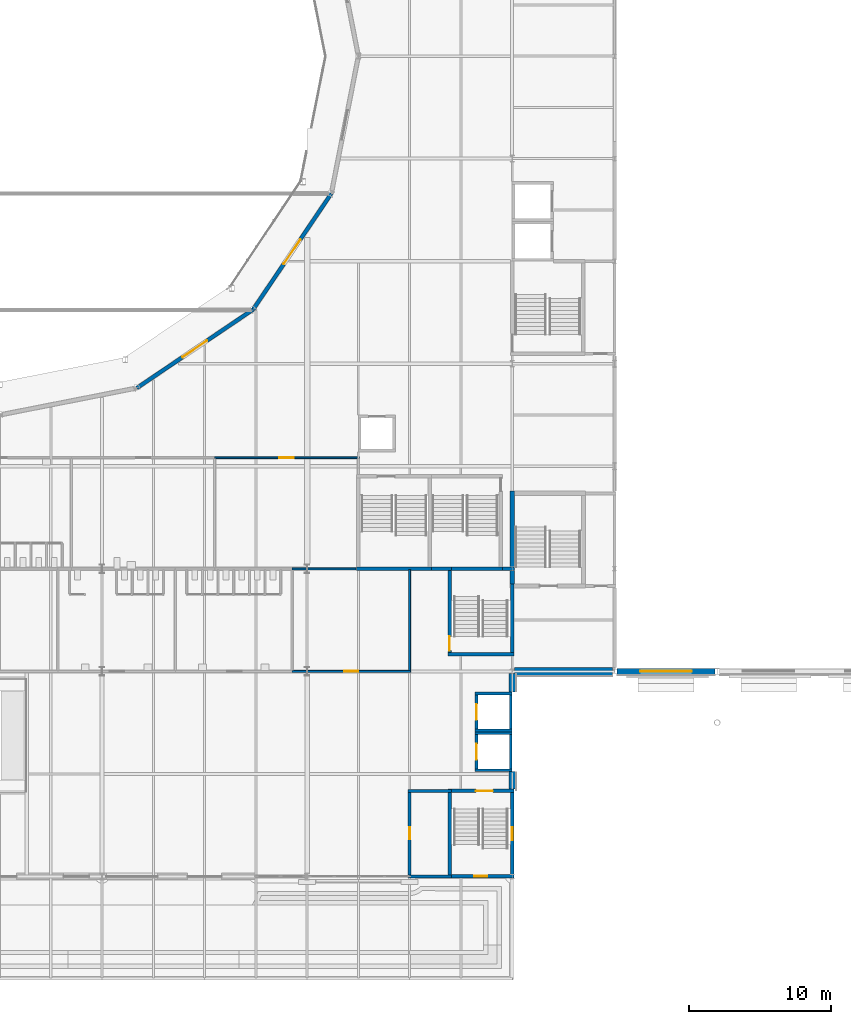
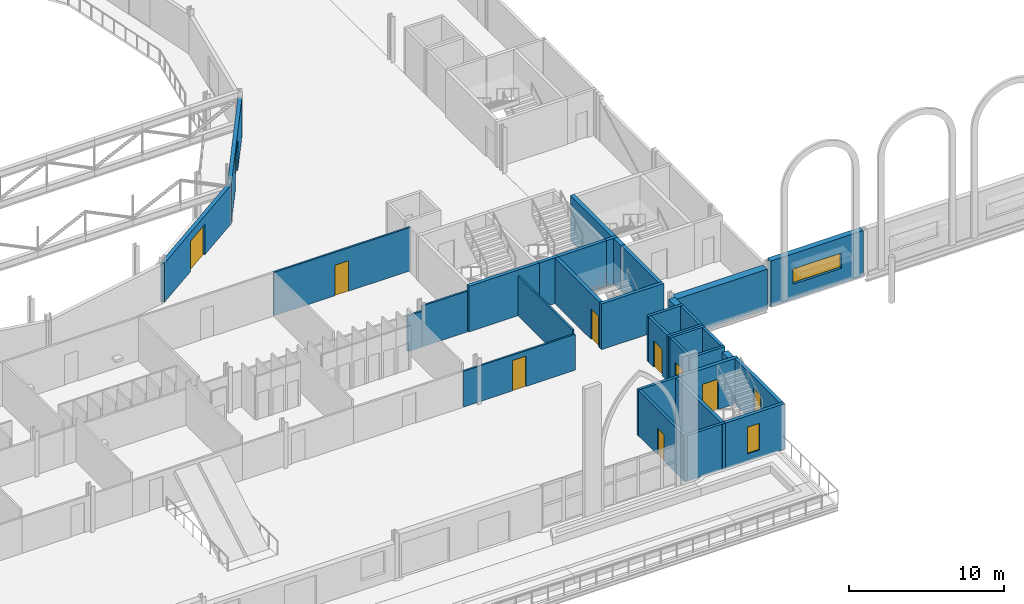
# One storey, part 72 of 143: 35 walls, 9 doors, 3 windows, 12 openings.
"""IFC4 building model written with IfcOpenShell, lengths in metres."""

from ifc_helpers import new_model, si_unit, direction, frame, frame_2d, origin, place, context, subcontext, project, spatial, rectangle, extrude, material, layer, layer_set, type_object, element, fill, save


model = new_model("IFC4")

# Units and contexts
model_context = context("Model", 3, precision=1e-05, world=origin(), true_north=direction((0.0, 1.0)))
body_context = subcontext(model_context, "Body", "Model", "MODEL_VIEW")
ifc_project = project(units=[si_unit("LENGTHUNIT", "METRE"), si_unit("AREAUNIT", "SQUARE_METRE"), si_unit("VOLUMEUNIT", "CUBIC_METRE"), si_unit("PLANEANGLEUNIT", "RADIAN"), si_unit("MASSUNIT", "GRAM", prefix="KILO")], contexts=[model_context])

# Site, building, storey
site_placement = place(None, origin())
site = spatial("IfcSite", under=ifc_project, at=site_placement, CompositionType="ELEMENT")
building_placement = place(site_placement, origin())
building = spatial("IfcBuilding", under=site, at=building_placement, Name="Kupolbacken Congress Centre", CompositionType="ELEMENT")
storey_placement = place(building_placement, frame((0.0, 0.0, 7.199951171875)))
storey = spatial("IfcBuildingStorey", under=building, at=storey_placement, Name="L02", CompositionType="ELEMENT", Elevation=7.199951171875)

# Wall, opening, window
ifc_material_1 = material(Name="Brick", Category="masonry")
ifc_layer_1 = layer(ifc_material_1, 0.10791015625)
ifc_material_2 = material(Name="Air cavity", Category="air")
ifc_layer_2 = layer(ifc_material_2, 0.0400390625, ventilated=True)
ifc_material_3 = material(Name="Mineral wool", Category="insulation")
ifc_layer_3 = layer(ifc_material_3, 0.152099609375)
ifc_material_4 = material(Name="Concrete block", Category="masonry")
ifc_layer_4 = layer(ifc_material_4, 0.1201171875)
ifc_layer_set_1 = layer_set([ifc_layer_1, ifc_layer_2, ifc_layer_3, ifc_layer_4], Name="Brick / Mineral wool / Concrete block")
wall_type_1 = type_object("IfcWallType", Name="EW04 external cavity wall 420", PredefinedType="SOLIDWALL", material=ifc_layer_set_1)
wall_1_placement = place(storey_placement, frame((86.550048828125, 43.199951171875, 0.0), z_axis=(0.0, 0.0, 1.0), x_axis=(1.0, 0.0, 0.0)))
wall_1 = element("IfcWall", 1, at=wall_1_placement, inside=storey, type_object=wall_type_1, Name="E/H/S/L02/265", PredefinedType="SOLIDWALL", context=body_context, shape_type="SweptSolid", body=[
    extrude(rectangle(XDim=6.89990234375, YDim=0.419921875, at=frame_2d((3.449951171875, 0.0))), origin(), (0.0, 0.0, 1.0), 3.60009765625),
])
opening_1_placement = place(wall_1_placement, frame((1.64990234375, 0.0, 1.199951171875)))
opening_1 = element("IfcOpeningElement", 2, at=opening_1_placement, cuts=wall_1, Name="Opening W12", PredefinedType="OPENING", context=body_context, shape_type="SweptSolid", body=[
    extrude(rectangle(XDim=3.60009765625, YDim=1.199951171875, at=frame_2d((1.800048828125, 0.60009765625))), frame((0.0, 0.219970703125, 0.0), z_axis=(0.0, -1.0, 0.0), x_axis=(1.0, 0.0, 0.0)), (0.0, 0.0, 1.0), 0.43994140625),
])
ifc_material_5 = material(Name="Aluminium frame with double or triple glazing", Category="aluminium")
window_type_1 = type_object("IfcWindowType", Name="W12 window 3600x1200", PartitioningType="TRIPLE_PANEL_VERTICAL", PredefinedType="WINDOW", material=ifc_material_5)
window_1_placement = place(opening_1_placement, origin())
window_1 = element("IfcWindow", 3, at=window_1_placement, inside=storey, type_object=window_type_1, Name="E/H/S/L02/265/W1", OverallHeight=1.199951171875, OverallWidth=3.60009765625, PartitioningType="SINGLE_PANEL", PredefinedType="WINDOW", context=body_context, shape_type="SweptSolid", body=[
    extrude(rectangle(XDim=3.60009765625, YDim=1.199951171875, at=frame_2d((1.800048828125, 0.60009765625))), frame((0.0, 0.030029296875, 0.0), z_axis=(0.0, -1.0, 0.0), x_axis=(1.0, 0.0, 0.0)), (0.0, 0.0, 1.0), 0.06005859375),
])
fill(opening_1, window_1)

# Walls
ifc_material_6 = material(Name="Concrete C40/50", Category="concrete")
ifc_layer_5 = layer(ifc_material_6, 0.1201171875)
ifc_layer_6 = layer(ifc_material_3, 0.19189453125)
ifc_layer_7 = layer(ifc_material_2, 0.0400390625, ventilated=True)
ifc_layer_8 = layer(ifc_material_1, 0.10791015625)
ifc_layer_set_2 = layer_set([ifc_layer_5, ifc_layer_6, ifc_layer_7, ifc_layer_8], Name="Concrete C40/50 / Mineral wool / Brick")
wall_type_2 = type_object("IfcWallType", Name="EW06 external cavity wall 460", PredefinedType="SOLIDWALL", material=ifc_layer_set_2)
wall_2_placement = place(storey_placement, frame((79.199951171875, 34.925048828125, 0.0), z_axis=(0.0, 0.0, 1.0), x_axis=(0.0, 1.0, 0.0)))
element("IfcWall", 4, at=wall_2_placement, inside=storey, type_object=wall_type_2, Name="E/F/E/L02/228", PredefinedType="SOLIDWALL", context=body_context, shape_type="SweptSolid", body=[
    extrude(rectangle(XDim=1.224853515625, YDim=0.4599609375, at=frame_2d((0.6123046875, 0.0))), origin(), (0.0, 0.0, 1.0), 3.219970703125),
])
wall_3_placement = place(storey_placement, frame((79.199951171875, 41.75, 0.0), z_axis=(0.0, 0.0, 1.0), x_axis=(0.0, 1.0, 0.0)))
element("IfcWall", 5, at=wall_3_placement, inside=storey, type_object=wall_type_2, Name="E/F/E/L02/229", PredefinedType="SOLIDWALL", context=body_context, shape_type="SweptSolid", body=[
    extrude(rectangle(XDim=1.300048828125, YDim=0.4599609375, at=frame_2d((0.64990234375, 0.0))), origin(), (0.0, 0.0, 1.0), 3.219970703125),
])
ifc_layer_9 = layer(ifc_material_6, 0.199951171875)
ifc_layer_10 = layer(ifc_material_3, 0.199951171875)
ifc_layer_11 = layer(ifc_material_2, 0.0400390625, ventilated=True)
ifc_material_7 = material(Name="Limestone", Category="masonry")
ifc_layer_12 = layer(ifc_material_7, 0.1201171875)
ifc_layer_set_3 = layer_set([ifc_layer_9, ifc_layer_10, ifc_layer_11, ifc_layer_12], Name="Concrete C40/50 / Mineral wool / Limestone")
wall_type_3 = type_object("IfcWallType", Name="EW09 external cavity wall 560", PredefinedType="SOLIDWALL", material=ifc_layer_set_3)
wall_4_placement = place(storey_placement, frame((79.35009765625, 43.199951171875, 0.0), z_axis=(0.0, 0.0, 1.0), x_axis=(1.0, 0.0, 0.0)))
element("IfcWall", 6, at=wall_4_placement, inside=storey, type_object=wall_type_3, Name="E/LINK/S/L02/275", PredefinedType="SOLIDWALL", context=body_context, shape_type="SweptSolid", body=[
    extrude(rectangle(XDim=6.89990234375, YDim=0.56005859375, at=frame_2d((3.449951171875, 0.0))), origin(), (0.0, 0.0, 1.0), 3.1201171875),
])
ifc_material_8 = material(Name="Gypsum board", Category="drywall")
ifc_layer_13 = layer(ifc_material_8, 0.135009765625)
ifc_layer_set_4 = layer_set([ifc_layer_13], Name="Gypsum board")
wall_type_4 = type_object("IfcWallType", Name="P06 compartment wall 135", PredefinedType="PARTITIONING", material=ifc_layer_set_4)
wall_5_placement = place(storey_placement, frame((72.0, 43.267578125, 0.0), z_axis=(0.0, 0.0, 1.0), x_axis=(0.0, 1.0, 0.0)))
element("IfcWall", 7, at=wall_5_placement, inside=storey, type_object=wall_type_4, Name="PD/L02/W002", PredefinedType="PARTITIONING", context=body_context, shape_type="SweptSolid", body=[
    extrude(rectangle(XDim=7.072509765625, YDim=0.135009765625, at=frame_2d((3.5361328125, 0.0))), origin(), (0.0, 0.0, 1.0), 3.1201171875),
])

# Wall, opening, door
wall_6_placement = place(storey_placement, frame((63.75, 43.199951171875, 0.0), z_axis=(0.0, 0.0, 1.0), x_axis=(1.0, 0.0, 0.0)))
wall_6 = element("IfcWall", 8, at=wall_6_placement, inside=storey, type_object=wall_type_4, Name="PD/L02/W023", PredefinedType="PARTITIONING", context=body_context, shape_type="SweptSolid", body=[
    extrude(rectangle(XDim=8.3173828125, YDim=0.135009765625, at=frame_2d((4.15869140625, 0.0))), origin(), (0.0, 0.0, 1.0), 2.820068359375),
])
opening_2_placement = place(wall_6_placement, frame((3.64990234375, 0.0, 0.0)))
opening_2 = element("IfcOpeningElement", 9, at=opening_2_placement, cuts=wall_6, Name="Opening 2.F13", PredefinedType="OPENING", context=body_context, shape_type="SweptSolid", body=[
    extrude(rectangle(XDim=1.0, YDim=2.39990234375, at=frame_2d((0.5, 1.199951171875))), frame((0.0, 0.077392578125, 0.0), z_axis=(0.0, -1.0, 0.0), x_axis=(1.0, 0.0, 0.0)), (0.0, 0.0, 1.0), 0.155029296875),
])
ifc_material_9 = material(Name="Steel fire door leaf", Category="steel")
door_type_1 = type_object("IfcDoorType", Name="D8 fire door 1000x2400", OperationType="SINGLE_SWING_LEFT", PredefinedType="DOOR", material=ifc_material_9)
door_1_placement = place(opening_2_placement, origin())
door_1 = element("IfcDoor", 10, at=door_1_placement, inside=storey, type_object=door_type_1, Name="PD/L02/W023/D2F13", OperationType="SINGLE_SWING_LEFT", OverallHeight=2.39990234375, OverallWidth=1.0, PredefinedType="DOOR", context=body_context, shape_type="SweptSolid", body=[
    extrude(rectangle(XDim=1.0, YDim=2.39990234375, at=frame_2d((0.5, 1.199951171875))), frame((0.0, 0.02490234375, 0.0), z_axis=(0.0, -1.0, 0.0), x_axis=(1.0, 0.0, 0.0)), (0.0, 0.0, 1.0), 0.050048828125),
])
fill(opening_2, door_1)

# Wall
wall_7_placement = place(storey_placement, frame((63.75, 50.39990234375, 0.0), z_axis=(0.0, 0.0, 1.0), x_axis=(1.0, 0.0, 0.0)))
element("IfcWall", 11, at=wall_7_placement, inside=storey, type_object=wall_type_4, Name="PD/L02/W041", PredefinedType="PARTITIONING", context=body_context, shape_type="SweptSolid", body=[
    extrude(rectangle(XDim=1.0576171875, YDim=0.135009765625, at=frame_2d((0.52880859375, 0.0))), origin(), (0.0, 0.0, 1.0), 2.820068359375),
])

# Wall, opening, door
wall_8_placement = place(storey_placement, frame((58.300048828125, 58.199951171875, 0.0), z_axis=(0.0, 0.0, 1.0), x_axis=(1.0, 0.0, 0.0)))
wall_8 = element("IfcWall", 12, at=wall_8_placement, inside=storey, type_object=wall_type_4, Name="PD/L02/W051", PredefinedType="PARTITIONING", context=body_context, shape_type="SweptSolid", body=[
    extrude(rectangle(XDim=10.16748046875, YDim=0.135009765625, at=frame_2d((5.083740234375, 0.0))), origin(), (0.0, 0.0, 1.0), 3.420166015625),
])
opening_3_placement = place(wall_8_placement, frame((4.550048828125, 0.0, 0.0)))
opening_3 = element("IfcOpeningElement", 13, at=opening_3_placement, cuts=wall_8, Name="Opening 2.P13", PredefinedType="OPENING", context=body_context, shape_type="SweptSolid", body=[
    extrude(rectangle(XDim=1.0, YDim=2.39990234375, at=frame_2d((0.5, 1.199951171875))), frame((0.0, 0.077392578125, 0.0), z_axis=(0.0, -1.0, 0.0), x_axis=(1.0, 0.0, 0.0)), (0.0, 0.0, 1.0), 0.155029296875),
])
door_2_placement = place(opening_3_placement, frame((1.0, 0.0, 0.0), z_axis=(0.0, 0.0, 1.0), x_axis=(-1.0, 0.0, 0.0)))
door_2 = element("IfcDoor", 14, at=door_2_placement, inside=storey, type_object=door_type_1, Name="PD/L02/W051/D2P13", OperationType="SINGLE_SWING_RIGHT", OverallHeight=2.39990234375, OverallWidth=1.0, PredefinedType="DOOR", context=body_context, shape_type="SweptSolid", body=[
    extrude(rectangle(XDim=1.0, YDim=2.39990234375, at=frame_2d((0.5, 1.199951171875))), frame((0.0, 0.02490234375, 0.0), z_axis=(0.0, -1.0, 0.0), x_axis=(1.0, 0.0, 0.0)), (0.0, 0.0, 1.0), 0.050048828125),
])
fill(opening_3, door_2)

# Wall
wall_9_placement = place(storey_placement, frame((64.8076171875, 50.39990234375, 0.0), z_axis=(0.0, 0.0, 1.0), x_axis=(1.0, 0.0, 0.0)))
element("IfcWall", 15, at=wall_9_placement, inside=storey, type_object=wall_type_4, Name="PD/L02/W041.h1", PredefinedType="PARTITIONING", context=body_context, shape_type="SweptSolid", body=[
    extrude(rectangle(XDim=3.407470703125, YDim=0.135009765625, at=frame_2d((1.70361328125, 0.0))), origin(), (0.0, 0.0, 1.0), 3.219970703125),
])

# Wall, opening, door
ifc_material_10 = material(Name="Gypsum board", Category="drywall")
ifc_layer_14 = layer(ifc_material_10, 0.27490234375)
ifc_layer_set_5 = layer_set([ifc_layer_14], Name="Gypsum board")
wall_type_5 = type_object("IfcWallType", Name="P12 partition 275", PredefinedType="PARTITIONING", material=ifc_layer_set_5)
wall_10_placement = place(storey_placement, frame((52.85009765625, 63.10009765625, 0.0), z_axis=(0.0, 0.0, 1.0), x_axis=(0.828904515443, 0.559390118145, 0.0)))
wall_10 = element("IfcWall", 16, at=wall_10_placement, inside=storey, type_object=wall_type_5, Name="PD/L02/W057", PredefinedType="PARTITIONING", context=body_context, shape_type="SweptSolid", body=[
    extrude(rectangle(XDim=9.83203125, YDim=0.27490234375, at=frame_2d((4.916015625, 0.0))), origin(), (0.0, 0.0, 1.0), 3.070068359375),
])
opening_4_placement = place(wall_10_placement, frame((3.85009765625, 0.0, 0.0)))
opening_4 = element("IfcOpeningElement", 17, at=opening_4_placement, cuts=wall_10, Name="Opening 2.P19", PredefinedType="OPENING", context=body_context, shape_type="SweptSolid", body=[
    extrude(rectangle(XDim=2.10009765625, YDim=2.39990234375, at=frame_2d((1.050048828125, 1.199951171875))), frame((0.0, 0.1474609375, 0.0), z_axis=(0.0, -1.0, 0.0), x_axis=(1.0, 0.0, 0.0)), (0.0, 0.0, 1.0), 0.294921875),
])
ifc_material_11 = material(Name="Steel fire door leaf", Category="steel")
door_type_2 = type_object("IfcDoorType", Name="D17 fire door 2100x2400", OperationType="DOUBLE_DOOR_SINGLE_SWING", PredefinedType="DOOR", material=ifc_material_11)
door_3_placement = place(opening_4_placement, frame((2.10009765625, 0.0, 0.0), z_axis=(0.0, 0.0, 1.0), x_axis=(-1.0, 0.0, 0.0)))
door_3 = element("IfcDoor", 18, at=door_3_placement, inside=storey, type_object=door_type_2, Name="PD/L02/W057/D2P19", OperationType="DOUBLE_DOOR_SINGLE_SWING", OverallHeight=2.39990234375, OverallWidth=2.10009765625, PredefinedType="DOOR", context=body_context, shape_type="SweptSolid", body=[
    extrude(rectangle(XDim=2.10009765625, YDim=2.39990234375, at=frame_2d((1.050048828125, 1.199951171875))), frame((0.0, 0.02490234375, 0.0), z_axis=(0.0, -1.0, 0.0), x_axis=(1.0, 0.0, 0.0)), (0.0, 0.0, 1.0), 0.050048828125),
])
fill(opening_4, door_3)

wall_11_placement = place(storey_placement, frame((61.0, 68.60009765625, 0.0), z_axis=(0.0, 0.0, 1.0), x_axis=(0.559390118145, 0.828904515443, 0.0)))
wall_11 = element("IfcWall", 19, at=wall_11_placement, inside=storey, type_object=wall_type_5, Name="PD/L02/W058", PredefinedType="PARTITIONING", context=body_context, shape_type="SweptSolid", body=[
    extrude(rectangle(XDim=9.83203125, YDim=0.27490234375, at=frame_2d((4.916015625, 0.0))), origin(), (0.0, 0.0, 1.0), 3.070068359375),
])
opening_5_placement = place(wall_11_placement, frame((3.85009765625, 0.0, 0.0)))
opening_5 = element("IfcOpeningElement", 20, at=opening_5_placement, cuts=wall_11, Name="Opening 2.P20", PredefinedType="OPENING", context=body_context, shape_type="SweptSolid", body=[
    extrude(rectangle(XDim=2.10009765625, YDim=2.39990234375, at=frame_2d((1.050048828125, 1.199951171875))), frame((0.0, 0.1474609375, 0.0), z_axis=(0.0, -1.0, 0.0), x_axis=(1.0, 0.0, 0.0)), (0.0, 0.0, 1.0), 0.294921875),
])
door_4_placement = place(opening_5_placement, frame((2.10009765625, 0.0, 0.0), z_axis=(0.0, 0.0, 1.0), x_axis=(-1.0, 0.0, 0.0)))
door_4 = element("IfcDoor", 21, at=door_4_placement, inside=storey, type_object=door_type_2, Name="PD/L02/W058/D2P20", OperationType="DOUBLE_DOOR_SINGLE_SWING", OverallHeight=2.39990234375, OverallWidth=2.10009765625, PredefinedType="DOOR", context=body_context, shape_type="SweptSolid", body=[
    extrude(rectangle(XDim=2.10009765625, YDim=2.39990234375, at=frame_2d((1.050048828125, 1.199951171875))), frame((0.0, 0.02490234375, 0.0), z_axis=(0.0, -1.0, 0.0), x_axis=(1.0, 0.0, 0.0)), (0.0, 0.0, 1.0), 0.050048828125),
])
fill(opening_5, door_4)

# Wall
ifc_material_12 = material(Name="Concrete C40/50", Category="concrete")
ifc_layer_15 = layer(ifc_material_12, 0.199951171875)
ifc_layer_set_6 = layer_set([ifc_layer_15], Name="Concrete C40/50")
wall_type_6 = type_object("IfcWallType", Name="WC1 RC shaft wall 200", PredefinedType="SHEAR", material=ifc_layer_set_6)
wall_12_placement = place(storey_placement, frame((71.89990234375, 28.800048828125, 0.0), z_axis=(0.0, 0.0, 1.0), x_axis=(1.0, 0.0, 0.0)))
element("IfcWall", 22, at=wall_12_placement, inside=storey, type_object=wall_type_6, Name="Shaft wall L02-004", PredefinedType="SHEAR", context=body_context, shape_type="SweptSolid", body=[
    extrude(rectangle(XDim=3.025146484375, YDim=0.199951171875, at=frame_2d((1.5126953125, 0.0))), origin(), (0.0, 0.0, 1.0), 3.60009765625),
])

# Wall, opening, door
wall_13_placement = place(storey_placement, frame((72.0, 34.89990234375, 0.0), z_axis=(0.0, 0.0, 1.0), x_axis=(0.0, -1.0, 0.0)))
wall_13 = element("IfcWall", 23, at=wall_13_placement, inside=storey, type_object=wall_type_6, Name="Shaft wall L02-010", PredefinedType="SHEAR", context=body_context, shape_type="SweptSolid", body=[
    extrude(rectangle(XDim=6.199951171875, YDim=0.199951171875, at=frame_2d((3.10009765625, 0.0))), origin(), (0.0, 0.0, 1.0), 3.60009765625),
])
opening_6_placement = place(wall_13_placement, frame((2.64990234375, 0.0, 0.0)))
opening_6 = element("IfcOpeningElement", 24, at=opening_6_placement, cuts=wall_13, Name="Opening 2.F06", PredefinedType="OPENING", context=body_context, shape_type="SweptSolid", body=[
    extrude(rectangle(XDim=0.85009765625, YDim=2.10009765625, at=frame_2d((0.425048828125, 1.050048828125))), frame((0.0, 0.10986328125, 0.0), z_axis=(0.0, -1.0, 0.0), x_axis=(1.0, 0.0, 0.0)), (0.0, 0.0, 1.0), 0.219970703125),
])
ifc_material_13 = material(Name="Steel fire door leaf", Category="steel")
door_type_3 = type_object("IfcDoorType", Name="D3 fire door 850x2100", OperationType="SINGLE_SWING_LEFT", PredefinedType="DOOR", material=ifc_material_13)
door_5_placement = place(opening_6_placement, origin())
door_5 = element("IfcDoor", 25, at=door_5_placement, inside=storey, type_object=door_type_3, Name="S/core/L02/010/D2F06", OperationType="SINGLE_SWING_RIGHT", OverallHeight=2.10009765625, OverallWidth=0.85009765625, PredefinedType="DOOR", context=body_context, shape_type="SweptSolid", body=[
    extrude(rectangle(XDim=0.85009765625, YDim=2.10009765625, at=frame_2d((0.425048828125, 1.050048828125))), frame((0.0, 0.02490234375, 0.0), z_axis=(0.0, -1.0, 0.0), x_axis=(1.0, 0.0, 0.0)), (0.0, 0.0, 1.0), 0.050048828125),
])
fill(opening_6, door_5)

# Walls
wall_14_placement = place(storey_placement, frame((74.925048828125, 34.800048828125, 0.0), z_axis=(0.0, 0.0, 1.0), x_axis=(-1.0, 0.0, 0.0)))
element("IfcWall", 26, at=wall_14_placement, inside=storey, type_object=wall_type_6, Name="Shaft wall L02-012", PredefinedType="SHEAR", context=body_context, shape_type="SweptSolid", body=[
    extrude(rectangle(XDim=3.025146484375, YDim=0.199951171875, at=frame_2d((1.5126953125, 0.0))), origin(), (0.0, 0.0, 1.0), 3.60009765625),
])
for number, where, z_axis, x_axis, name in (
    (27, (76.60009765625, 36.25, 0.0), (0.0, 0.0, 1.0), (1.0, 0.0, 0.0), "Shaft wall LP3"),
    (28, (76.60009765625, 38.85009765625, 0.0), (0.0, 0.0, 1.0), (1.0, 0.0, 0.0), "Shaft wall LP3"),
):
    element("IfcWall", number, at=place(storey_placement, frame(where, z_axis=z_axis, x_axis=x_axis)), inside=storey, type_object=wall_type_6, Name=name, PredefinedType="SHEAR", context=body_context, shape_type="SweptSolid", body=[
        extrude(rectangle(XDim=2.599853515625, YDim=0.199951171875, at=frame_2d((1.2998046875, 0.0))), origin(), (0.0, 0.0, 1.0), 3.60009765625),
    ])

# Wall, opening, door
wall_15_placement = place(storey_placement, frame((76.699951171875, 36.35009765625, 0.0), z_axis=(0.0, 0.0, 1.0), x_axis=(0.0, 1.0, 0.0)))
wall_15 = element("IfcWall", 29, at=wall_15_placement, inside=storey, type_object=wall_type_6, Name="Shaft wall LP3", PredefinedType="SHEAR", context=body_context, shape_type="SweptSolid", body=[
    extrude(rectangle(XDim=2.39990234375, YDim=0.199951171875, at=frame_2d((1.199951171875, 0.0))), origin(), (0.0, 0.0, 1.0), 3.60009765625),
])
opening_7_placement = place(wall_15_placement, frame((0.64990234375, 0.0, 0.0)))
opening_7 = element("IfcOpeningElement", 30, at=opening_7_placement, cuts=wall_15, Name="Opening LD2", PredefinedType="OPENING", context=body_context, shape_type="SweptSolid", body=[
    extrude(rectangle(XDim=1.10009765625, YDim=2.10009765625, at=frame_2d((0.550048828125, 1.050048828125))), frame((0.0, 0.10986328125, 0.0), z_axis=(0.0, -1.0, 0.0), x_axis=(1.0, 0.0, 0.0)), (0.0, 0.0, 1.0), 0.219970703125),
])
ifc_material_14 = material(Name="Stainless steel door leaf", Category="steel")
door_type_4 = type_object("IfcDoorType", Name="LD2 lift landing door 1100x2100", OperationType="SLIDING_TO_LEFT", PredefinedType="DOOR", material=ifc_material_14)
door_6_placement = place(opening_7_placement, origin())
door_6 = element("IfcDoor", 31, at=door_6_placement, inside=storey, type_object=door_type_4, Name="Lift landing door LP3", OperationType="SLIDING_TO_LEFT", OverallHeight=2.10009765625, OverallWidth=1.10009765625, PredefinedType="DOOR", context=body_context, shape_type="SweptSolid", body=[
    extrude(rectangle(XDim=1.10009765625, YDim=2.10009765625, at=frame_2d((0.550048828125, 1.050048828125))), frame((0.0, 0.02490234375, 0.0), z_axis=(0.0, -1.0, 0.0), x_axis=(1.0, 0.0, 0.0)), (0.0, 0.0, 1.0), 0.050048828125),
])
fill(opening_7, door_6)

# Walls
wall_16_placement = place(storey_placement, frame((79.10009765625, 36.35009765625, 0.0), z_axis=(0.0, 0.0, 1.0), x_axis=(0.0, 1.0, 0.0)))
element("IfcWall", 32, at=wall_16_placement, inside=storey, type_object=wall_type_6, Name="Shaft wall LP3", PredefinedType="SHEAR", context=body_context, shape_type="SweptSolid", body=[
    extrude(rectangle(XDim=2.39990234375, YDim=0.199951171875, at=frame_2d((1.199951171875, 0.0))), origin(), (0.0, 0.0, 1.0), 3.60009765625),
])
for number, where, z_axis, x_axis, name in (
    (33, (76.60009765625, 39.050048828125, 0.0), (0.0, 0.0, 1.0), (1.0, 0.0, 0.0), "Shaft wall LP4"),
    (34, (76.60009765625, 41.64990234375, 0.0), (0.0, 0.0, 1.0), (1.0, 0.0, 0.0), "Shaft wall LP4"),
):
    element("IfcWall", number, at=place(storey_placement, frame(where, z_axis=z_axis, x_axis=x_axis)), inside=storey, type_object=wall_type_6, Name=name, PredefinedType="SHEAR", context=body_context, shape_type="SweptSolid", body=[
        extrude(rectangle(XDim=2.599853515625, YDim=0.199951171875, at=frame_2d((1.2998046875, 0.0))), origin(), (0.0, 0.0, 1.0), 3.60009765625),
    ])

# Wall, opening, door
wall_17_placement = place(storey_placement, frame((76.699951171875, 39.14990234375, 0.0), z_axis=(0.0, 0.0, 1.0), x_axis=(0.0, 1.0, 0.0)))
wall_17 = element("IfcWall", 35, at=wall_17_placement, inside=storey, type_object=wall_type_6, Name="Shaft wall LP4", PredefinedType="SHEAR", context=body_context, shape_type="SweptSolid", body=[
    extrude(rectangle(XDim=2.400146484375, YDim=0.199951171875, at=frame_2d((1.2001953125, 0.0))), origin(), (0.0, 0.0, 1.0), 3.60009765625),
])
opening_8_placement = place(wall_17_placement, frame((0.64990234375, 0.0, 0.0)))
opening_8 = element("IfcOpeningElement", 36, at=opening_8_placement, cuts=wall_17, Name="Opening LD2", PredefinedType="OPENING", context=body_context, shape_type="SweptSolid", body=[
    extrude(rectangle(XDim=1.10009765625, YDim=2.10009765625, at=frame_2d((0.550048828125, 1.050048828125))), frame((0.0, 0.10986328125, 0.0), z_axis=(0.0, -1.0, 0.0), x_axis=(1.0, 0.0, 0.0)), (0.0, 0.0, 1.0), 0.219970703125),
])
door_7_placement = place(opening_8_placement, origin())
door_7 = element("IfcDoor", 37, at=door_7_placement, inside=storey, type_object=door_type_4, Name="Lift landing door LP4", OperationType="SLIDING_TO_LEFT", OverallHeight=2.10009765625, OverallWidth=1.10009765625, PredefinedType="DOOR", context=body_context, shape_type="SweptSolid", body=[
    extrude(rectangle(XDim=1.10009765625, YDim=2.10009765625, at=frame_2d((0.550048828125, 1.050048828125))), frame((0.0, 0.02490234375, 0.0), z_axis=(0.0, -1.0, 0.0), x_axis=(1.0, 0.0, 0.0)), (0.0, 0.0, 1.0), 0.050048828125),
])
fill(opening_8, door_7)

# Wall
wall_18_placement = place(storey_placement, frame((79.10009765625, 39.14990234375, 0.0), z_axis=(0.0, 0.0, 1.0), x_axis=(0.0, 1.0, 0.0)))
element("IfcWall", 38, at=wall_18_placement, inside=storey, type_object=wall_type_6, Name="Shaft wall LP4", PredefinedType="SHEAR", context=body_context, shape_type="SweptSolid", body=[
    extrude(rectangle(XDim=2.400146484375, YDim=0.199951171875, at=frame_2d((1.2001953125, 0.0))), origin(), (0.0, 0.0, 1.0), 3.60009765625),
])

# Wall, opening, window
ifc_material_15 = material(Name="Concrete C40/50", Category="concrete")
ifc_layer_16 = layer(ifc_material_15, 0.25)
ifc_layer_set_7 = layer_set([ifc_layer_16], Name="Concrete C40/50")
wall_type_7 = type_object("IfcWallType", Name="WC2 RC stair enclosure wall 250", PredefinedType="SHEAR", material=ifc_layer_set_7)
wall_19_placement = place(storey_placement, frame((74.925048828125, 28.800048828125, 0.0), z_axis=(0.0, 0.0, 1.0), x_axis=(1.0, 0.0, 0.0)))
wall_19 = element("IfcWall", 39, at=wall_19_placement, inside=storey, type_object=wall_type_7, Name="Stair enclosure wall L02-005", PredefinedType="SHEAR", context=body_context, shape_type="SweptSolid", body=[
    extrude(rectangle(XDim=4.39990234375, YDim=0.25, at=frame_2d((2.199951171875, 0.0))), origin(), (0.0, 0.0, 1.0), 3.60009765625),
])
opening_9_placement = place(wall_19_placement, frame((1.625, 0.0, 0.60009765625)))
opening_9 = element("IfcOpeningElement", 40, at=opening_9_placement, cuts=wall_19, Name="Opening W28", PredefinedType="OPENING", context=body_context, shape_type="SweptSolid", body=[
    extrude(rectangle(XDim=0.89990234375, YDim=2.10009765625, at=frame_2d((0.449951171875, 1.050048828125))), frame((0.0, 0.135009765625, 0.0), z_axis=(0.0, -1.0, 0.0), x_axis=(1.0, 0.0, 0.0)), (0.0, 0.0, 1.0), 0.27001953125),
])
ifc_material_16 = material(Name="Aluminium frame with double or triple glazing", Category="aluminium")
window_type_2 = type_object("IfcWindowType", Name="W28 window 900x2100", PartitioningType="SINGLE_PANEL", PredefinedType="WINDOW", material=ifc_material_16)
window_2_placement = place(opening_9_placement, origin())
window_2 = element("IfcWindow", 41, at=window_2_placement, inside=storey, type_object=window_type_2, Name="S/core/L02/005/W1/L02", OverallHeight=2.10009765625, OverallWidth=0.89990234375, PartitioningType="SINGLE_PANEL", PredefinedType="WINDOW", context=body_context, shape_type="SweptSolid", body=[
    extrude(rectangle(XDim=0.89990234375, YDim=2.10009765625, at=frame_2d((0.449951171875, 1.050048828125))), frame((0.0, 0.030029296875, 0.0), z_axis=(0.0, -1.0, 0.0), x_axis=(1.0, 0.0, 0.0)), (0.0, 0.0, 1.0), 0.06005859375),
])
fill(opening_9, window_2)

wall_20_placement = place(storey_placement, frame((79.199951171875, 28.675048828125, 0.0), z_axis=(0.0, 0.0, 1.0), x_axis=(0.0, 1.0, 0.0)))
wall_20 = element("IfcWall", 42, at=wall_20_placement, inside=storey, type_object=wall_type_7, Name="Stair enclosure wall L02-006", PredefinedType="SHEAR", context=body_context, shape_type="SweptSolid", body=[
    extrude(rectangle(XDim=6.25, YDim=0.25, at=frame_2d((3.125, 0.0))), origin(), (0.0, 0.0, 1.0), 3.60009765625),
])
opening_10_placement = place(wall_20_placement, frame((2.675048828125, 0.0, 0.60009765625)))
opening_10 = element("IfcOpeningElement", 43, at=opening_10_placement, cuts=wall_20, Name="Opening W28", PredefinedType="OPENING", context=body_context, shape_type="SweptSolid", body=[
    extrude(rectangle(XDim=0.89990234375, YDim=2.10009765625, at=frame_2d((0.449951171875, 1.050048828125))), frame((0.0, 0.135009765625, 0.0), z_axis=(0.0, -1.0, 0.0), x_axis=(1.0, 0.0, 0.0)), (0.0, 0.0, 1.0), 0.27001953125),
])
window_3_placement = place(opening_10_placement, origin())
window_3 = element("IfcWindow", 44, at=window_3_placement, inside=storey, type_object=window_type_2, Name="S/core/L02/006/W1/L02", OverallHeight=2.10009765625, OverallWidth=0.89990234375, PartitioningType="SINGLE_PANEL", PredefinedType="WINDOW", context=body_context, shape_type="SweptSolid", body=[
    extrude(rectangle(XDim=0.89990234375, YDim=2.10009765625, at=frame_2d((0.449951171875, 1.050048828125))), frame((0.0, 0.030029296875, 0.0), z_axis=(0.0, -1.0, 0.0), x_axis=(1.0, 0.0, 0.0)), (0.0, 0.0, 1.0), 0.06005859375),
])
fill(opening_10, window_3)

# Wall
wall_21_placement = place(storey_placement, frame((74.800048828125, 34.925048828125, 0.0), z_axis=(0.0, 0.0, 1.0), x_axis=(0.0, -1.0, 0.0)))
element("IfcWall", 45, at=wall_21_placement, inside=storey, type_object=wall_type_7, Name="Stair enclosure wall L02-011", PredefinedType="SHEAR", context=body_context, shape_type="SweptSolid", body=[
    extrude(rectangle(XDim=6.25, YDim=0.25, at=frame_2d((3.125, 0.0))), origin(), (0.0, 0.0, 1.0), 3.60009765625),
])

# Wall, opening, door
wall_22_placement = place(storey_placement, frame((79.324951171875, 34.800048828125, 0.0), z_axis=(0.0, 0.0, 1.0), x_axis=(-1.0, 0.0, 0.0)))
wall_22 = element("IfcWall", 46, at=wall_22_placement, inside=storey, type_object=wall_type_7, Name="Stair enclosure wall L02-013", PredefinedType="SHEAR", context=body_context, shape_type="SweptSolid", body=[
    extrude(rectangle(XDim=4.39990234375, YDim=0.25, at=frame_2d((2.199951171875, 0.0))), origin(), (0.0, 0.0, 1.0), 3.60009765625),
])
opening_11_placement = place(wall_22_placement, frame((1.47509765625, 0.0, 0.0)))
opening_11 = element("IfcOpeningElement", 47, at=opening_11_placement, cuts=wall_22, Name="Opening 2.F04", PredefinedType="OPENING", context=body_context, shape_type="SweptSolid", body=[
    extrude(rectangle(XDim=1.199951171875, YDim=2.39990234375, at=frame_2d((0.60009765625, 1.199951171875))), frame((0.0, 0.135009765625, 0.0), z_axis=(0.0, -1.0, 0.0), x_axis=(1.0, 0.0, 0.0)), (0.0, 0.0, 1.0), 0.27001953125),
])
ifc_material_17 = material(Name="Steel fire door leaf", Category="steel")
door_type_5 = type_object("IfcDoorType", Name="D9 fire door 1200x2400", OperationType="SINGLE_SWING_LEFT", PredefinedType="DOOR", material=ifc_material_17)
door_8_placement = place(opening_11_placement, origin())
door_8 = element("IfcDoor", 48, at=door_8_placement, inside=storey, type_object=door_type_5, Name="S/core/L02/013/D2F04", OperationType="SINGLE_SWING_RIGHT", OverallHeight=2.39990234375, OverallWidth=1.199951171875, PredefinedType="DOOR", context=body_context, shape_type="SweptSolid", body=[
    extrude(rectangle(XDim=1.199951171875, YDim=2.39990234375, at=frame_2d((0.60009765625, 1.199951171875))), frame((0.0, 0.02490234375, 0.0), z_axis=(0.0, -1.0, 0.0), x_axis=(1.0, 0.0, 0.0)), (0.0, 0.0, 1.0), 0.050048828125),
])
fill(opening_11, door_8)

# Walls
wall_23_placement = place(storey_placement, frame((74.675048828125, 44.39990234375, 0.0), z_axis=(0.0, 0.0, 1.0), x_axis=(1.0, 0.0, 0.0)))
element("IfcWall", 49, at=wall_23_placement, inside=storey, type_object=wall_type_7, Name="Stair enclosure wall L02-016", PredefinedType="SHEAR", context=body_context, shape_type="SweptSolid", body=[
    extrude(rectangle(XDim=4.64990234375, YDim=0.25, at=frame_2d((2.324951171875, 0.0))), origin(), (0.0, 0.0, 1.0), 3.60009765625),
])
wall_24_placement = place(storey_placement, frame((79.199951171875, 44.27490234375, 0.0), z_axis=(0.0, 0.0, 1.0), x_axis=(0.0, 1.0, 0.0)))
element("IfcWall", 50, at=wall_24_placement, inside=storey, type_object=wall_type_7, Name="Stair enclosure wall L02-017", PredefinedType="SHEAR", context=body_context, shape_type="SweptSolid", body=[
    extrude(rectangle(XDim=5.0751953125, YDim=0.25, at=frame_2d((2.53759765625, 0.0))), origin(), (0.0, 0.0, 1.0), 3.60009765625),
])
wall_25_placement = place(storey_placement, frame((68.27490234375, 50.39990234375, 0.0), z_axis=(0.0, 0.0, 1.0), x_axis=(1.0, 0.0, 0.0)))
element("IfcWall", 51, at=wall_25_placement, inside=storey, type_object=wall_type_7, Name="Stair enclosure wall L02-027", PredefinedType="SHEAR", context=body_context, shape_type="SweptSolid", body=[
    extrude(rectangle(XDim=5.25, YDim=0.25, at=frame_2d((2.625, 0.0))), origin(), (0.0, 0.0, 1.0), 3.60009765625),
])
wall_26_placement = place(storey_placement, frame((73.52490234375, 50.39990234375, 0.0), z_axis=(0.0, 0.0, 1.0), x_axis=(1.0, 0.0, 0.0)))
element("IfcWall", 52, at=wall_26_placement, inside=storey, type_object=wall_type_7, Name="Stair enclosure wall L02-028", PredefinedType="SHEAR", context=body_context, shape_type="SweptSolid", body=[
    extrude(rectangle(XDim=1.400146484375, YDim=0.25, at=frame_2d((0.7001953125, 0.0))), origin(), (0.0, 0.0, 1.0), 3.60009765625),
])

# Wall, opening, door
wall_27_placement = place(storey_placement, frame((74.800048828125, 50.52490234375, 0.0), z_axis=(0.0, 0.0, 1.0), x_axis=(0.0, -1.0, 0.0)))
wall_27 = element("IfcWall", 53, at=wall_27_placement, inside=storey, type_object=wall_type_7, Name="Stair enclosure wall L02-030", PredefinedType="SHEAR", context=body_context, shape_type="SweptSolid", body=[
    extrude(rectangle(XDim=6.25, YDim=0.25, at=frame_2d((3.125, 0.0))), origin(), (0.0, 0.0, 1.0), 3.60009765625),
])
opening_12_placement = place(wall_27_placement, frame((4.875, 0.0, 0.0)))
opening_12 = element("IfcOpeningElement", 54, at=opening_12_placement, cuts=wall_27, Name="Opening 2.F05", PredefinedType="OPENING", context=body_context, shape_type="SweptSolid", body=[
    extrude(rectangle(XDim=1.0, YDim=2.39990234375, at=frame_2d((0.5, 1.199951171875))), frame((0.0, 0.135009765625, 0.0), z_axis=(0.0, -1.0, 0.0), x_axis=(1.0, 0.0, 0.0)), (0.0, 0.0, 1.0), 0.27001953125),
])
door_9_placement = place(opening_12_placement, origin())
door_9 = element("IfcDoor", 55, at=door_9_placement, inside=storey, type_object=door_type_1, Name="S/core/L02/030/D2F05", OperationType="SINGLE_SWING_LEFT", OverallHeight=2.39990234375, OverallWidth=1.0, PredefinedType="DOOR", context=body_context, shape_type="SweptSolid", body=[
    extrude(rectangle(XDim=1.0, YDim=2.39990234375, at=frame_2d((0.5, 1.199951171875))), frame((0.0, 0.02490234375, 0.0), z_axis=(0.0, -1.0, 0.0), x_axis=(1.0, 0.0, 0.0)), (0.0, 0.0, 1.0), 0.050048828125),
])
fill(opening_12, door_9)

# Walls
wall_28_placement = place(storey_placement, frame((78.52490234375, 50.39990234375, 0.0), z_axis=(0.0, 0.0, 1.0), x_axis=(-1.0, 0.0, 0.0)))
element("IfcWall", 56, at=wall_28_placement, inside=storey, type_object=wall_type_7, Name="Stair enclosure wall L02-031", PredefinedType="SHEAR", context=body_context, shape_type="SweptSolid", body=[
    extrude(rectangle(XDim=3.599853515625, YDim=0.25, at=frame_2d((1.7998046875, 0.0))), origin(), (0.0, 0.0, 1.0), 3.60009765625),
])
wall_29_placement = place(storey_placement, frame((79.35009765625, 50.39990234375, 0.0), z_axis=(0.0, 0.0, 1.0), x_axis=(-1.0, 0.0, 0.0)))
element("IfcWall", 57, at=wall_29_placement, inside=storey, type_object=wall_type_7, Name="Stair enclosure wall L02-033", PredefinedType="SHEAR", context=body_context, shape_type="SweptSolid", body=[
    extrude(rectangle(XDim=0.8251953125, YDim=0.25, at=frame_2d((0.41259765625, 0.0))), origin(), (0.0, 0.0, 1.0), 3.60009765625),
])
ifc_material_18 = material(Name="Concrete C40/50", Category="concrete")
ifc_layer_17 = layer(ifc_material_18, 0.300048828125)
ifc_layer_set_8 = layer_set([ifc_layer_17], Name="Concrete C40/50")
wall_type_8 = type_object("IfcWallType", Name="WC3 RC core wall 300", PredefinedType="SHEAR", material=ifc_layer_set_8)
wall_30_placement = place(storey_placement, frame((79.199951171875, 49.35009765625, 0.0), z_axis=(0.0, 0.0, 1.0), x_axis=(0.0, 1.0, 0.0)))
element("IfcWall", 58, at=wall_30_placement, inside=storey, type_object=wall_type_8, Name="Core wall L02-019", PredefinedType="SHEAR", context=body_context, shape_type="SweptSolid", body=[
    extrude(rectangle(XDim=1.1748046875, YDim=0.300048828125, at=frame_2d((0.58740234375, 0.0))), origin(), (0.0, 0.0, 1.0), 3.60009765625),
])
wall_31_placement = place(storey_placement, frame((79.199951171875, 55.85009765625, 0.0), z_axis=(0.0, 0.0, 1.0), x_axis=(0.0, -1.0, 0.0)))
element("IfcWall", 59, at=wall_31_placement, inside=storey, type_object=wall_type_8, Name="Core wall L02-037", PredefinedType="SHEAR", context=body_context, shape_type="SweptSolid", body=[
    extrude(rectangle(XDim=5.3251953125, YDim=0.300048828125, at=frame_2d((2.66259765625, 0.0))), origin(), (0.0, 0.0, 1.0), 3.60009765625),
])

save(model, "model.ifc")
